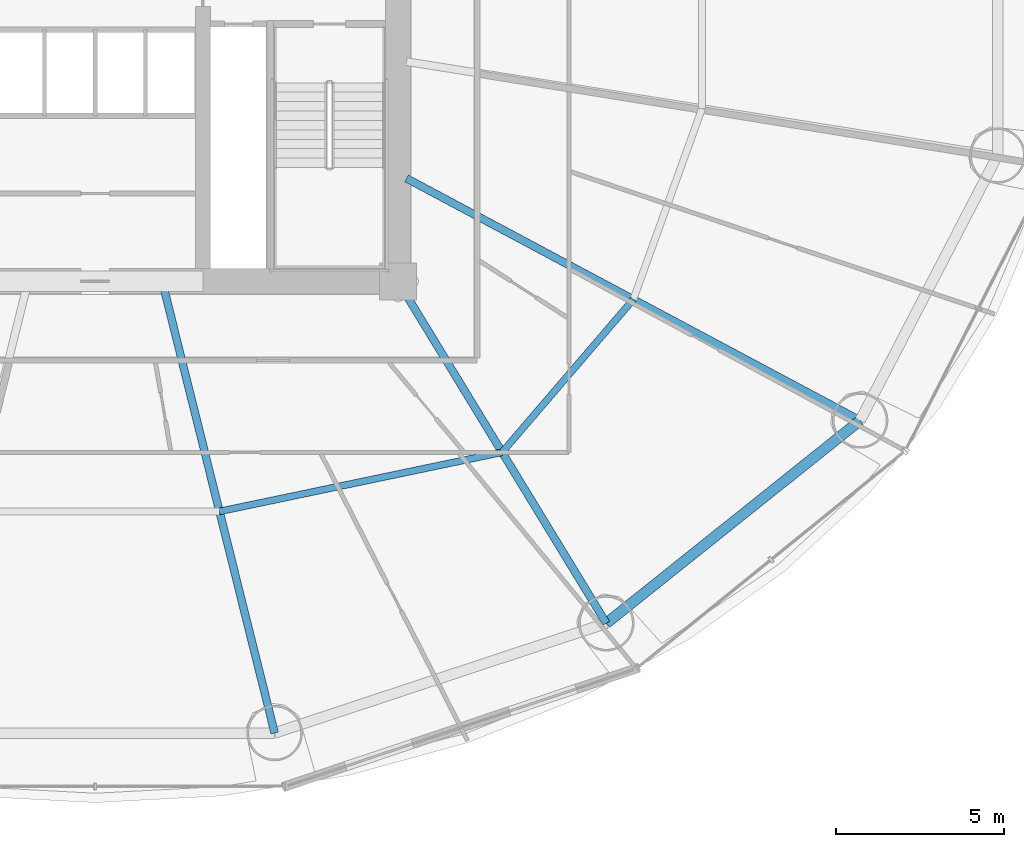
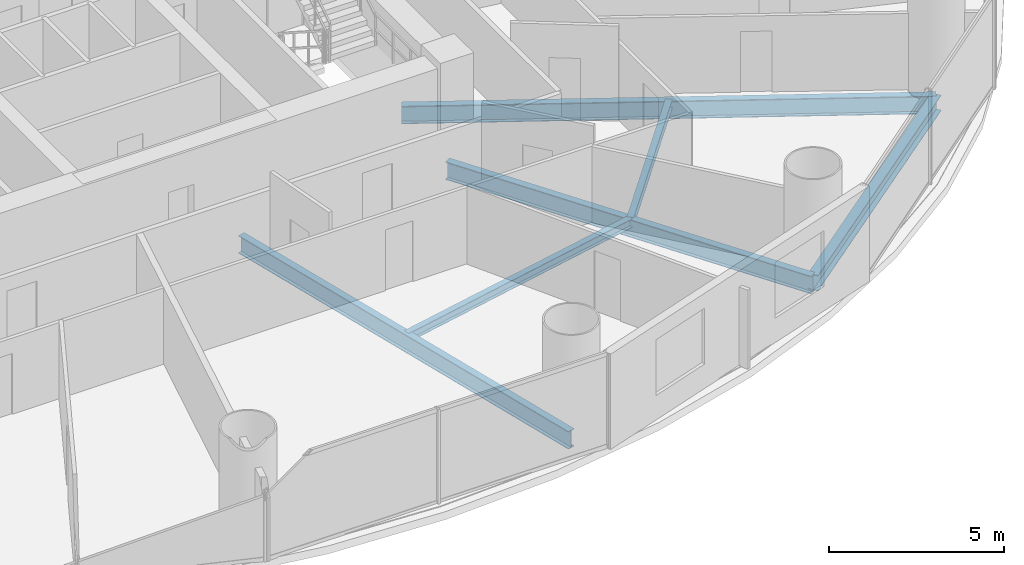
# One storey, part 11 of 30: 6 beams.
"""IFC4 building model written with IfcOpenShell, lengths in metres."""

from ifc_helpers import new_model, si_unit, direction, frame, origin, origin_2d, place, context, subcontext, project, spatial, i_section, extrude, material, material_profile, profile_set, type_object, element, save


model = new_model("IFC4")

# Units and contexts
model_context = context("Model", 3, precision=1e-05, world=origin(), true_north=direction((-0.2419218956, 0.970295726276)))
body_context = subcontext(model_context, "Body", "Model", "MODEL_VIEW")
ifc_project = project(units=[si_unit("LENGTHUNIT", "METRE"), si_unit("AREAUNIT", "SQUARE_METRE"), si_unit("VOLUMEUNIT", "CUBIC_METRE"), si_unit("PLANEANGLEUNIT", "RADIAN"), si_unit("MASSUNIT", "GRAM", prefix="KILO")], contexts=[model_context])

# Site, building, storey
site_placement = place(None, origin())
site = spatial("IfcSite", under=ifc_project, at=site_placement, CompositionType="ELEMENT")
building_placement = place(site_placement, origin())
building = spatial("IfcBuilding", under=site, at=building_placement, Name="Cobrevalo Terracotta Tower", CompositionType="ELEMENT")
storey_placement = place(building_placement, frame((0.0, 0.0, 31.199951171875)))
storey = spatial("IfcBuildingStorey", under=building, at=storey_placement, Name="L07", CompositionType="ELEMENT", Elevation=31.199951171875)

# Beams
ifc_material = material(Name="Steel S355", Category="steel")
ifc_material_profile_1 = material_profile(ifc_material, i_section(OverallWidth=0.22998046875, OverallDepth=0.616943359375, WebThickness=0.01318359375, FlangeThickness=0.022216796875, at=origin_2d()), Name="W 610x140")
ifc_profile_set_1 = profile_set([ifc_material_profile_1], Name="Steel S355")
beam_type_1 = type_object("IfcBeamType", Name="Structural Beam W 610x140 (Steel S355)", PredefinedType="BEAM", material=ifc_profile_set_1)
beam_1_placement = place(storey_placement, frame((43.335693359375, 5.369873046875, -0.58837890625), z_axis=(-0.241600470374, 0.970375810042, 0.0), x_axis=(-0.970375810042, -0.241600470374, 0.0)))
element("IfcBeam", 1, at=beam_1_placement, inside=storey, type_object=beam_type_1, Name="L07 radial floor girder 13", PredefinedType="BEAM", context=body_context, shape_type="SweptSolid", body=[
    extrude(i_section(OverallWidth=0.22998046875, OverallDepth=0.616943359375, WebThickness=0.01318359375, FlangeThickness=0.022216796875, at=origin_2d()), origin(), (0.0, 0.0, 1.0), 13.5771484375),
])
beam_2_placement = place(storey_placement, frame((53.19482421875, 8.63232421875, -0.58837890625), z_axis=(-0.520300780853, 0.853983077961, 0.0), x_axis=(-0.853983077961, -0.520300780853, 0.0)))
element("IfcBeam", 2, at=beam_2_placement, inside=storey, type_object=beam_type_1, Name="L07 radial floor girder 14", PredefinedType="BEAM", context=body_context, shape_type="SweptSolid", body=[
    extrude(i_section(OverallWidth=0.22998046875, OverallDepth=0.616943359375, WebThickness=0.01318359375, FlangeThickness=0.022216796875, at=origin_2d()), origin(), (0.0, 0.0, 1.0), 11.90625),
])
beam_3_placement = place(storey_placement, frame((60.74072265625, 14.660888671875, -0.58837890625), z_axis=(-0.88218223571, 0.470908168329, 0.0), x_axis=(-0.470908168329, -0.88218223571, 0.0)))
element("IfcBeam", 3, at=beam_3_placement, inside=storey, type_object=beam_type_1, Name="L07 radial floor girder 15", PredefinedType="BEAM", context=body_context, shape_type="SweptSolid", body=[
    extrude(i_section(OverallWidth=0.22998046875, OverallDepth=0.616943359375, WebThickness=0.01318359375, FlangeThickness=0.022216796875, at=origin_2d()), origin(), (0.0, 0.0, 1.0), 15.286865234375),
])
ifc_material_profile_2 = material_profile(ifc_material, i_section(OverallWidth=0.2041015625, OverallDepth=0.305908203125, WebThickness=0.008544921875, FlangeThickness=0.0146484375, at=origin_2d()), Name="W 310x67")
ifc_profile_set_2 = profile_set([ifc_material_profile_2], Name="Steel S355")
beam_type_2 = type_object("IfcBeamType", Name="Structural Joist W 310x67 (Steel S355)", PredefinedType="JOIST", material=ifc_profile_set_2)
beam_4_placement = place(storey_placement, frame((41.695556640625, 11.95751953125, -0.432861328125), z_axis=(0.978784523904, 0.204892302848, 0.0), x_axis=(-0.204892302848, 0.978784523904, 0.0)))
element("IfcBeam", 4, at=beam_4_placement, inside=storey, type_object=beam_type_2, Name="L07 circumferential secondary floor joist 13", PredefinedType="JOIST", context=body_context, shape_type="SweptSolid", body=[
    extrude(i_section(OverallWidth=0.2041015625, OverallDepth=0.305908203125, WebThickness=0.008544921875, FlangeThickness=0.0146484375, at=origin_2d()), origin(), (0.0, 0.0, 1.0), 8.583984375),
])
beam_5_placement = place(storey_placement, frame((50.097412109375, 13.71630859375, -0.432861328125), z_axis=(0.651328404454, 0.758795960421, 0.0), x_axis=(-0.758795960421, 0.651328404454, 0.0)))
element("IfcBeam", 5, at=beam_5_placement, inside=storey, type_object=beam_type_2, Name="L07 circumferential secondary floor joist 14", PredefinedType="JOIST", context=body_context, shape_type="SweptSolid", body=[
    extrude(i_section(OverallWidth=0.2041015625, OverallDepth=0.305908203125, WebThickness=0.008544921875, FlangeThickness=0.0146484375, at=origin_2d()), origin(), (0.0, 0.0, 1.0), 5.98828125),
])
ifc_material_profile_3 = material_profile(ifc_material, i_section(OverallWidth=0.31201171875, OverallDepth=0.54296875, WebThickness=0.0126953125, FlangeThickness=0.020263671875, at=origin_2d()), Name="W 530x150")
ifc_profile_set_3 = profile_set([ifc_material_profile_3], Name="Steel S355")
beam_type_3 = type_object("IfcBeamType", Name="Structural Spandrel W 530x150 (Steel S355)", PredefinedType="SPANDREL", material=ifc_profile_set_3)
beam_6_placement = place(storey_placement, frame((53.19482421875, 8.63232421875, -0.551513671875), z_axis=(0.781280479891, 0.62418011162, 0.0), x_axis=(-0.62418011162, 0.781280479891, 0.0)))
element("IfcBeam", 6, at=beam_6_placement, inside=storey, type_object=beam_type_3, Name="L07 perimeter ring spandrel 14", PredefinedType="SPANDREL", context=body_context, shape_type="SweptSolid", body=[
    extrude(i_section(OverallWidth=0.31201171875, OverallDepth=0.54296875, WebThickness=0.0126953125, FlangeThickness=0.020263671875, at=origin_2d()), origin(), (0.0, 0.0, 1.0), 9.658447265625),
])

save(model, "model.ifc")
